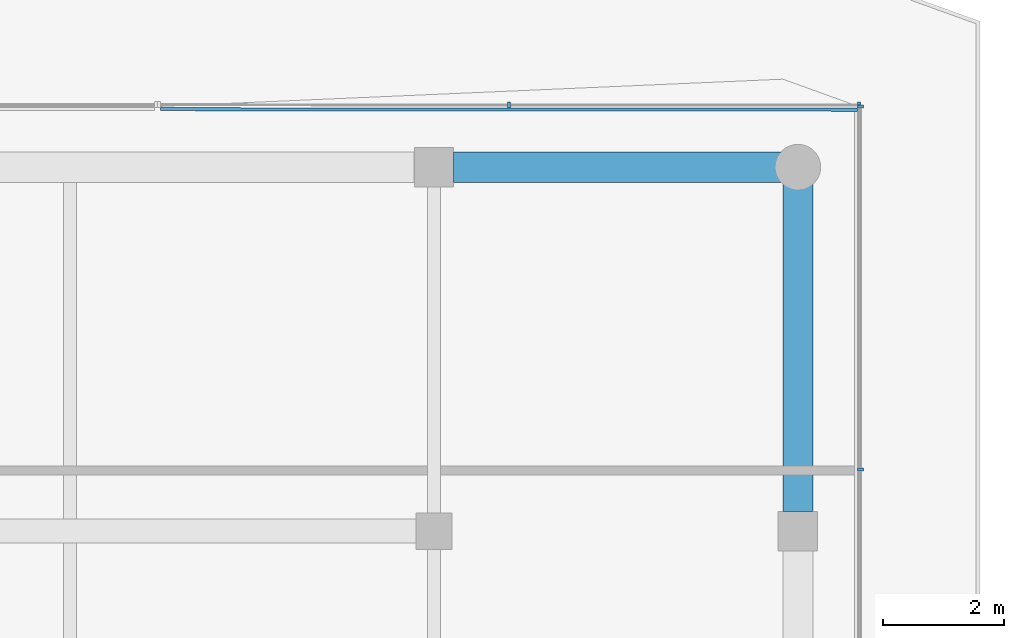
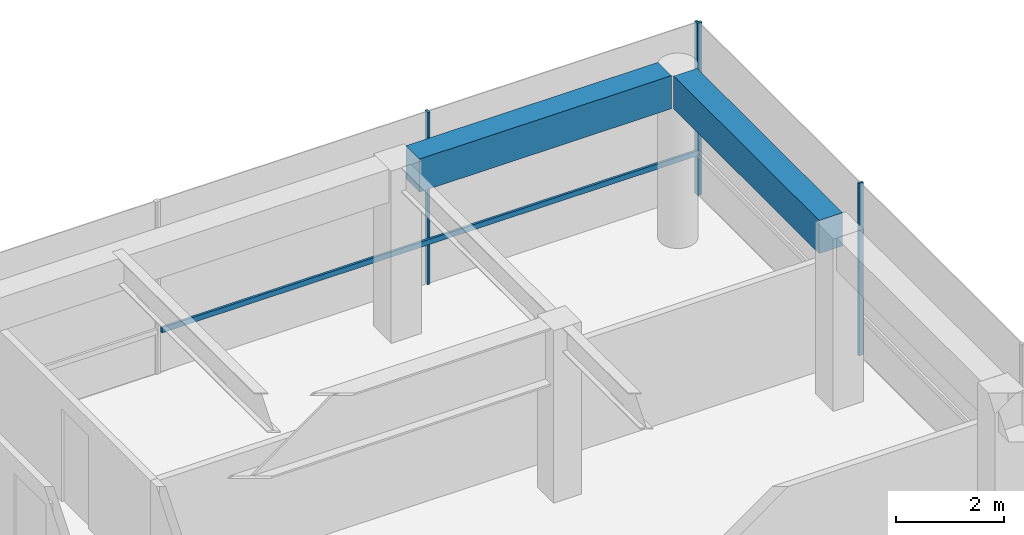
# One storey, part 13 of 19: 5 members, 2 beams, 2 elements without a shape of their own.
"""IFC4 building model written with IfcOpenShell, lengths in metres."""

from ifc_helpers import new_model, si_unit, direction, frame, origin, origin_2d, place, context, subcontext, project, spatial, rectangle, extrude, material, layer, layer_set, material_profile, profile_set, type_object, element, aggregate, save


model = new_model("IFC4")

# Units and contexts
model_context = context("Model", 3, precision=1e-05, world=origin(), true_north=direction((0.0, 1.0)))
body_context = subcontext(model_context, "Body", "Model", "MODEL_VIEW")
ifc_project = project(units=[si_unit("LENGTHUNIT", "METRE"), si_unit("AREAUNIT", "SQUARE_METRE"), si_unit("VOLUMEUNIT", "CUBIC_METRE"), si_unit("PLANEANGLEUNIT", "RADIAN"), si_unit("MASSUNIT", "GRAM", prefix="KILO")], contexts=[model_context])

# Site, building, storey
site_placement = place(None, origin())
site = spatial("IfcSite", under=ifc_project, at=site_placement, CompositionType="ELEMENT")
building_placement = place(site_placement, origin())
building = spatial("IfcBuilding", under=site, at=building_placement, Name="Welwitschia Terrace Campus", CompositionType="ELEMENT")
storey_placement = place(building_placement, frame((0.0, 0.0, 323.0)))
storey = spatial("IfcBuildingStorey", under=building, at=storey_placement, Name="L72", CompositionType="ELEMENT", Elevation=323.0)

# Curtain wall, members
ifc_material_1 = material(Name="Bronze anodised aluminium", Category="aluminium")
ifc_layer = layer(ifc_material_1, 0.10009765625)
ifc_layer_set = layer_set([ifc_layer], Name="Bronze anodised aluminium")
curtain_wall_type = type_object("IfcCurtainWallType", Name="Curtain wall CW5 crown 6000", PredefinedType="NOTDEFINED", material=ifc_layer_set)
curtain_wall_1_placement = place(storey_placement, origin())
curtain_wall_1 = element("IfcCurtainWall", 1, at=curtain_wall_1_placement, inside=storey, type_object=curtain_wall_type, Name="CW L72.6.0", PredefinedType="NOTDEFINED")
ifc_material_2 = material(Name="Bronze anodised aluminium", Category="aluminium")
ifc_material_profile_1 = material_profile(ifc_material_2, rectangle(XDim=0.10009765625, YDim=0.050048828125, at=origin_2d()))
ifc_profile_set_1 = profile_set([ifc_material_profile_1], Name="Bronze anodised aluminium")
member_type_1 = type_object("IfcMemberType", Name="Mullion 50x100", PredefinedType="MULLION", material=ifc_profile_set_1)
member_1_placement = place(storey_placement, frame((25.030029296875, 45.013916015625, 0.0), z_axis=(0.0, 0.0, 1.0), x_axis=(-1.0, 0.0, 0.0)))
member_1 = element("IfcMember", 2, at=member_1_placement, type_object=member_type_1, Name="Mullion L72.6.0.4", PredefinedType="MULLION", context=body_context, shape_type="SweptSolid", body=[
    extrude(rectangle(XDim=0.10009765625, YDim=0.050048828125, at=origin_2d()), origin(), (0.0, 0.0, 1.0), 3.89990234375),
])
member_2_placement = place(storey_placement, frame((25.030029296875, 50.99609375, 0.0), z_axis=(0.0, 0.0, 1.0), x_axis=(-1.0, 0.0, 0.0)))
member_2 = element("IfcMember", 3, at=member_2_placement, type_object=member_type_1, Name="Mullion L72.6.0.5", PredefinedType="MULLION", context=body_context, shape_type="SweptSolid", body=[
    extrude(rectangle(XDim=0.10009765625, YDim=0.050048828125, at=origin_2d()), origin(), (0.0, 0.0, 1.0), 3.89990234375),
])
aggregate(curtain_wall_1, [member_1, member_2])

curtain_wall_2_placement = place(storey_placement, origin())
curtain_wall_2 = element("IfcCurtainWall", 4, at=curtain_wall_2_placement, inside=storey, type_object=curtain_wall_type, Name="CW L72.7.0", PredefinedType="NOTDEFINED")
member_3_placement = place(storey_placement, frame((25.0048828125, 51.02099609375, 0.0), z_axis=(0.0, 0.0, 1.0), x_axis=(-0.000770424698, -0.999999703223, 0.0)))
member_3 = element("IfcMember", 5, at=member_3_placement, type_object=member_type_1, Name="Mullion L72.7.0.0", PredefinedType="MULLION", context=body_context, shape_type="SweptSolid", body=[
    extrude(rectangle(XDim=0.10009765625, YDim=0.050048828125, at=origin_2d()), origin(), (0.0, 0.0, 1.0), 3.89990234375),
])
member_4_placement = place(storey_placement, frame((19.236328125, 51.025634765625, 0.0), z_axis=(0.0, 0.0, 1.0), x_axis=(-0.000770424698, -0.999999703223, 0.0)))
member_4 = element("IfcMember", 6, at=member_4_placement, type_object=member_type_1, Name="Mullion L72.7.0.1", PredefinedType="MULLION", context=body_context, shape_type="SweptSolid", body=[
    extrude(rectangle(XDim=0.10009765625, YDim=0.050048828125, at=origin_2d()), origin(), (0.0, 0.0, 1.0), 3.89990234375),
])

# Beams
ifc_material_3 = material(Name="Concrete C40/50", Category="concrete")
ifc_material_profile_2 = material_profile(ifc_material_3, rectangle(XDim=0.5, YDim=0.75, at=origin_2d()))
ifc_profile_set_2 = profile_set([ifc_material_profile_2], Name="Concrete C40/50")
beam_type = type_object("IfcBeamType", Name="Ring spandrel 500x750", PredefinedType="SPANDREL", material=ifc_profile_set_2)
for number, where, z_axis, x_axis, name in (
    (7, (24.0, 44.325439453125, 3.52490234375), (0.0, 1.0, 0.0), (-1.0, 0.0, 0.0), "Spandrel SP5"),
    (8, (23.719482421875, 50.0, 3.52490234375), (-1.0, 0.0, 0.0), (0.0, -1.0, 0.0), "Spandrel SP5"),
):
    element("IfcBeam", number, at=place(storey_placement, frame(where, z_axis=z_axis, x_axis=x_axis)), inside=storey, type_object=beam_type, Name=name, PredefinedType="SPANDREL", context=body_context, shape_type="SweptSolid", body=[
        extrude(rectangle(XDim=0.5, YDim=0.75, at=origin_2d()), origin(), (0.0, 0.0, 1.0), 5.39404296875),
    ])

# Member
ifc_material_4 = material(Name="Bronze anodised aluminium", Category="aluminium")
ifc_material_profile_3 = material_profile(ifc_material_4, rectangle(XDim=0.050048828125, YDim=0.1201171875, at=origin_2d()))
ifc_profile_set_3 = profile_set([ifc_material_profile_3], Name="Bronze anodised aluminium")
member_type_2 = type_object("IfcMemberType", Name="Transom 50x120", PredefinedType="USERDEFINED", material=ifc_profile_set_3)
member_5_placement = place(storey_placement, frame((24.97998046875, 50.946044921875, 1.0), z_axis=(-0.999999690829, 0.000786347067, 0.0), x_axis=(-0.000786347067, -0.999999690829, 0.0)))
member_5 = element("IfcMember", 9, at=member_5_placement, type_object=member_type_2, Name="Transom L72.7.0", ObjectType="TRANSOM", PredefinedType="USERDEFINED", context=body_context, shape_type="SweptSolid", body=[
    extrude(rectangle(XDim=0.050048828125, YDim=0.1201171875, at=origin_2d()), origin(), (0.0, 0.0, 1.0), 11.487548828125),
])

aggregate(curtain_wall_2, [member_3, member_4, member_5])

save(model, "model.ifc")
